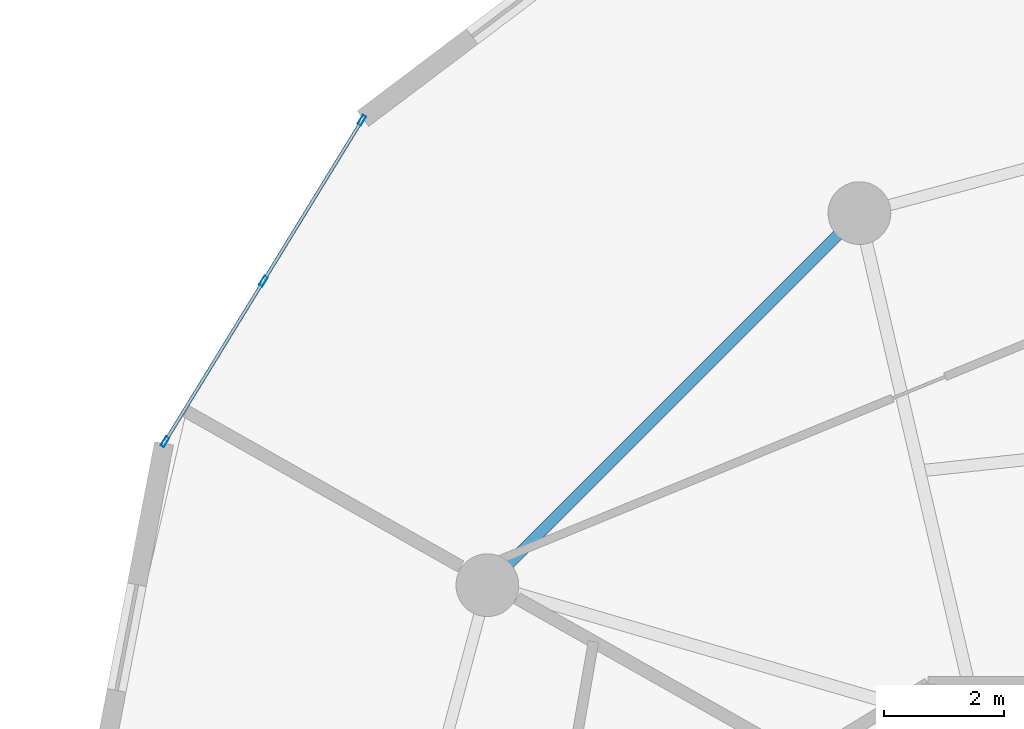
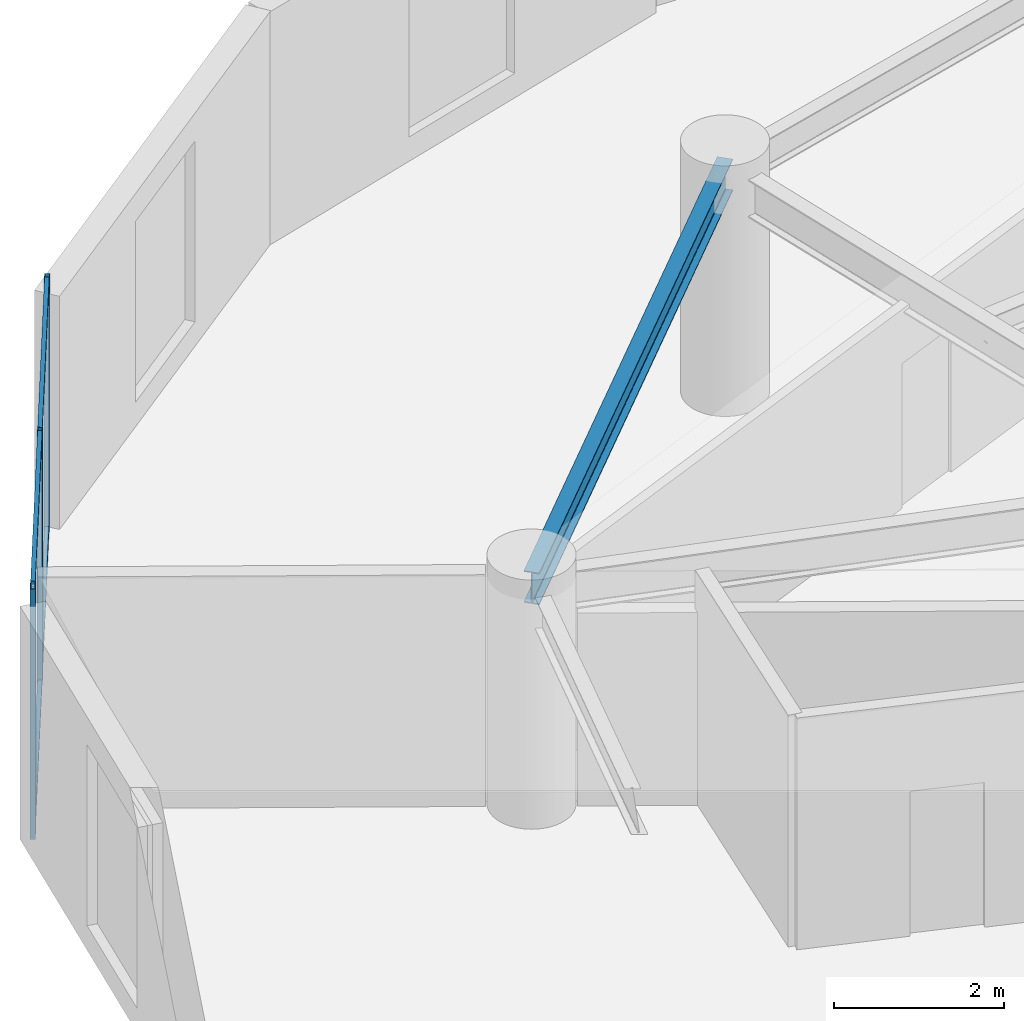
# One storey, part 13 of 23: 7 members, 1 beam, 1 element without a shape of its own.
"""IFC4 building model written with IfcOpenShell, lengths in metres."""

from ifc_helpers import new_model, si_unit, direction, frame, origin, origin_2d, place, context, subcontext, project, spatial, hollow_rectangle, i_section, extrude, source, transform, mapped, material, layer, layer_set, material_profile, profile_set, type_object, element, aggregate, save


model = new_model("IFC4")

# Units and contexts
model_context = context("Model", 3, precision=1e-05, world=origin(), true_north=direction((0.0, 1.0)))
body_context = subcontext(model_context, "Body", "Model", "MODEL_VIEW")
ifc_project = project(units=[si_unit("LENGTHUNIT", "METRE"), si_unit("AREAUNIT", "SQUARE_METRE"), si_unit("VOLUMEUNIT", "CUBIC_METRE"), si_unit("PLANEANGLEUNIT", "RADIAN"), si_unit("MASSUNIT", "GRAM", prefix="KILO")], contexts=[model_context])

# Site, building, storey
site_placement = place(None, origin())
site = spatial("IfcSite", under=ifc_project, at=site_placement, CompositionType="ELEMENT")
building_placement = place(site_placement, origin())
building = spatial("IfcBuilding", under=site, at=building_placement, Name="Solvirekh Grand Hotel", CompositionType="ELEMENT")
storey_placement = place(building_placement, frame((0.0, 0.0, 138.60009765625)))
storey = spatial("IfcBuildingStorey", under=building, at=storey_placement, Name="L35", CompositionType="ELEMENT", Elevation=138.60009765625)

# Beam
ifc_material_1 = material(Name="Steel S355", Category="steel")
ifc_material_profile_1 = material_profile(ifc_material_1, i_section(OverallWidth=0.18994140625, OverallDepth=0.45703125, WebThickness=0.009033203125, FlangeThickness=0.013916015625, FilletRadius=0.012939453125, at=origin_2d()), Name="W460X74")
ifc_profile_set_1 = profile_set([ifc_material_profile_1], Name="Steel S355")
beam_type = type_object("IfcBeamType", Name="Spandrel_Ring_W460", PredefinedType="SPANDREL", material=ifc_profile_set_1)
beam_placement = place(storey_placement, frame((-8.5, 14.721923828125, 3.120849609375), z_axis=(-0.707106781187, -0.707106781187, 0.0), x_axis=(0.707106781187, -0.707106781187, 0.0)))
element("IfcBeam", 1, at=beam_placement, inside=storey, type_object=beam_type, Name="L35 perimeter spandrel beam 5", PredefinedType="SPANDREL", context=body_context, shape_type="SweptSolid", body=[
    extrude(i_section(OverallWidth=0.18994140625, OverallDepth=0.45703125, WebThickness=0.009033203125, FlangeThickness=0.013916015625, FilletRadius=0.012939453125, at=origin_2d()), origin(), (0.0, 0.0, 1.0), 8.799072265625),
])

# Curtain wall, members
ifc_material_2 = material(Name="Anodized Bronze Aluminium 6063-T6", Category="aluminium")
ifc_layer = layer(ifc_material_2, 0.175048828125)
ifc_layer_set = layer_set([ifc_layer], Name="Anodized Bronze Aluminium 6063-T6")
curtain_wall_type = type_object("IfcCurtainWallType", Name="CW_Sys3_MidZoneFlushBronzeCW", PredefinedType="NOTDEFINED", material=ifc_layer_set)
curtain_wall_placement = place(storey_placement, origin())
curtain_wall = element("IfcCurtainWall", 2, at=curtain_wall_placement, inside=storey, type_object=curtain_wall_type, Name="L35 unitised bronze-glass curtain wall CW-L35-C11", PredefinedType="NOTDEFINED")
ifc_material_profile_2 = material_profile(ifc_material_2, hollow_rectangle(XDim=0.06494140625, YDim=0.175048828125, WallThickness=0.0048828125, at=origin_2d()), Name="ALU RHS 175X65X5")
ifc_profile_set_2 = profile_set([ifc_material_profile_2], Name="Anodized Bronze Aluminium 6063-T6")
member_type_1 = type_object("IfcMemberType", Name="CWMullion_Sys3", PredefinedType="MULLION", material=ifc_profile_set_2)
shared_shape_1 = source(origin(), body_context, "Body", "SweptSolid", [
    extrude(hollow_rectangle(XDim=0.06494140625, YDim=0.175048828125, WallThickness=0.0048828125, at=origin_2d()), origin(), (0.0, 0.0, 1.0), 3.599853515625),
])
member_1_placement = place(storey_placement, frame((-16.820068359375, 16.274169921875, 0.0), z_axis=(0.0, 0.0, 1.0), x_axis=(0.852648632908, -0.522484745041, 0.0)))
member_1 = element("IfcMember", 3, at=member_1_placement, type_object=member_type_1, Name="U03 mullion 1", PredefinedType="MULLION", context=body_context, shape_type="MappedRepresentation", body=[
    mapped(shared_shape_1, transform((0.0, 0.0, 0.0), x_axis=(1.0, 0.0, 0.0), y_axis=(0.0, 1.0, 0.0), z_axis=(0.0, 0.0, 1.0), scale=1.0)),
])
member_2_placement = place(storey_placement, frame((-18.467041015625, 13.58642578125, 0.0), z_axis=(0.0, 0.0, 1.0), x_axis=(0.852648632908, -0.522484745041, 0.0)))
member_2 = element("IfcMember", 4, at=member_2_placement, type_object=member_type_1, Name="U03 mullion 2", PredefinedType="MULLION", context=body_context, shape_type="MappedRepresentation", body=[
    mapped(shared_shape_1, transform((0.0, 0.0, 0.0), x_axis=(1.0, 0.0, 0.0), y_axis=(0.0, 1.0, 0.0), z_axis=(0.0, 0.0, 1.0), scale=1.0)),
])
member_3_placement = place(storey_placement, frame((-20.114013671875, 10.898681640625, 0.0), z_axis=(0.0, 0.0, 1.0), x_axis=(0.852648632908, -0.522484745041, 0.0)))
member_3 = element("IfcMember", 5, at=member_3_placement, type_object=member_type_1, Name="U03 mullion 3", PredefinedType="MULLION", context=body_context, shape_type="MappedRepresentation", body=[
    mapped(shared_shape_1, transform((0.0, 0.0, 0.0), x_axis=(1.0, 0.0, 0.0), y_axis=(0.0, 1.0, 0.0), z_axis=(0.0, 0.0, 1.0), scale=1.0)),
])
ifc_material_profile_3 = material_profile(ifc_material_2, hollow_rectangle(XDim=0.054931640625, YDim=0.1201171875, WallThickness=0.00390625, at=origin_2d()), Name="ALU RHS 120X55X4")
ifc_profile_set_3 = profile_set([ifc_material_profile_3], Name="Anodized Bronze Aluminium 6063-T6")
member_type_2 = type_object("IfcMemberType", Name="CWTransom_Sys3", PredefinedType="USERDEFINED", material=ifc_profile_set_3)
shared_shape_2 = source(origin(), body_context, "Body", "SweptSolid", [
    extrude(hollow_rectangle(XDim=0.054931640625, YDim=0.1201171875, WallThickness=0.00390625, at=origin_2d()), origin(), (0.0, 0.0, 1.0), 3.087158203125),
])
member_4_placement = place(storey_placement, frame((-16.8369140625, 16.24658203125, 0.02734375), z_axis=(-0.522486025943, -0.852647847997, 0.0), x_axis=(0.852647847997, -0.522486025943, 0.0)))
member_4 = element("IfcMember", 6, at=member_4_placement, type_object=member_type_2, Name="U03 transom 1.1", ObjectType="TRANSOM", PredefinedType="USERDEFINED", context=body_context, shape_type="MappedRepresentation", body=[
    mapped(shared_shape_2, transform((0.0, 0.0, 0.0), x_axis=(1.0, 0.0, 0.0), y_axis=(0.0, 1.0, 0.0), z_axis=(0.0, 0.0, 1.0), scale=1.0)),
])
member_5_placement = place(storey_placement, frame((-16.8369140625, 16.24658203125, 3.572509765625), z_axis=(-0.522486025943, -0.852647847997, 0.0), x_axis=(0.852647847997, -0.522486025943, 0.0)))
member_5 = element("IfcMember", 7, at=member_5_placement, type_object=member_type_2, Name="U03 transom 1.2", ObjectType="TRANSOM", PredefinedType="USERDEFINED", context=body_context, shape_type="MappedRepresentation", body=[
    mapped(shared_shape_2, transform((0.0, 0.0, 0.0), x_axis=(1.0, 0.0, 0.0), y_axis=(0.0, 1.0, 0.0), z_axis=(0.0, 0.0, 1.0), scale=1.0)),
])
member_6_placement = place(storey_placement, frame((-18.48388671875, 13.558837890625, 0.02734375), z_axis=(-0.522486025943, -0.852647847997, 0.0), x_axis=(0.852647847997, -0.522486025943, 0.0)))
member_6 = element("IfcMember", 8, at=member_6_placement, type_object=member_type_2, Name="U03 transom 2.1", ObjectType="TRANSOM", PredefinedType="USERDEFINED", context=body_context, shape_type="MappedRepresentation", body=[
    mapped(shared_shape_2, transform((0.0, 0.0, 0.0), x_axis=(1.0, 0.0, 0.0), y_axis=(0.0, 1.0, 0.0), z_axis=(0.0, 0.0, 1.0), scale=1.0)),
])
member_7_placement = place(storey_placement, frame((-18.48388671875, 13.558837890625, 3.572509765625), z_axis=(-0.522486025943, -0.852647847997, 0.0), x_axis=(0.852647847997, -0.522486025943, 0.0)))
member_7 = element("IfcMember", 9, at=member_7_placement, type_object=member_type_2, Name="U03 transom 2.2", ObjectType="TRANSOM", PredefinedType="USERDEFINED", context=body_context, shape_type="MappedRepresentation", body=[
    mapped(shared_shape_2, transform((0.0, 0.0, 0.0), x_axis=(1.0, 0.0, 0.0), y_axis=(0.0, 1.0, 0.0), z_axis=(0.0, 0.0, 1.0), scale=1.0)),
])
aggregate(curtain_wall, [member_1, member_2, member_3, member_4, member_5, member_6, member_7])

save(model, "model.ifc")
